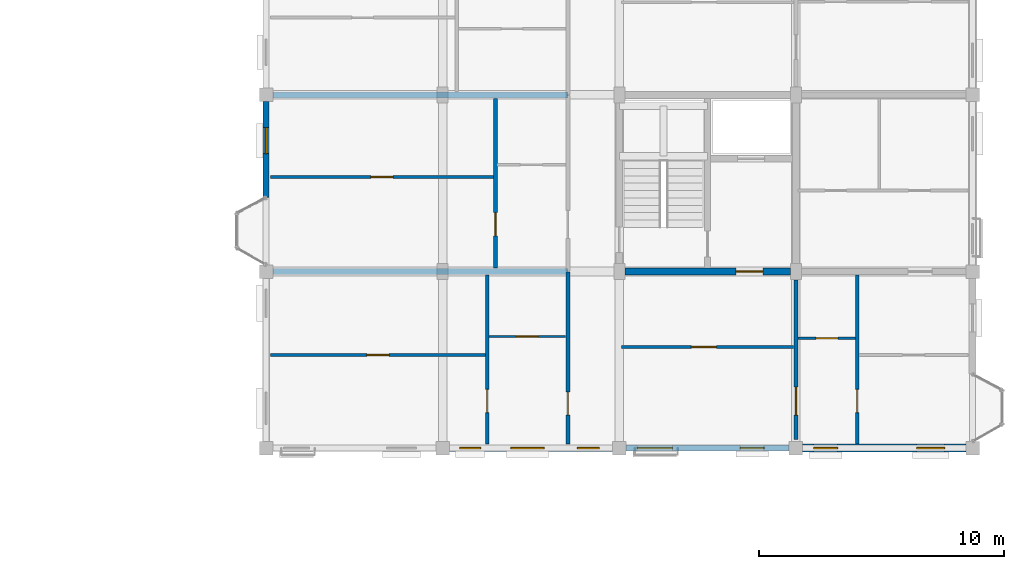
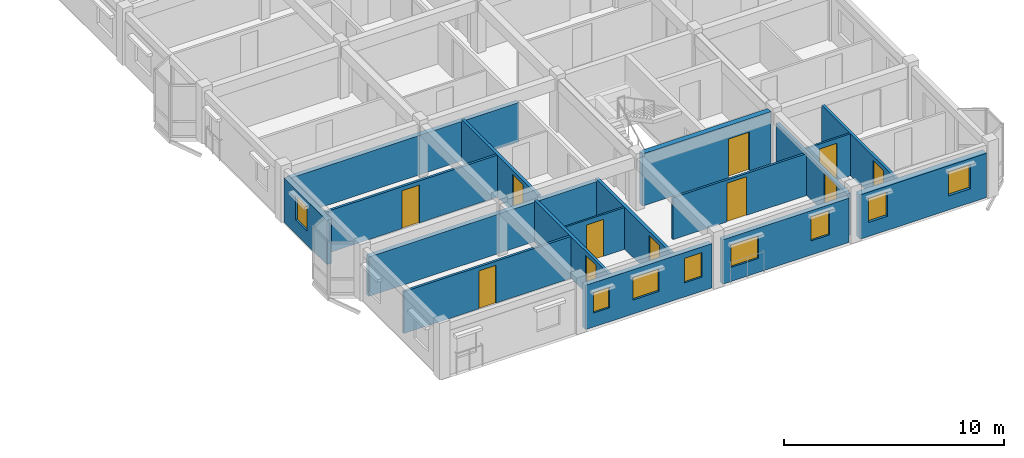
# One storey, part 60 of 79: 17 walls, 11 doors, 8 windows, 19 openings.
"""IFC4 building model written with IfcOpenShell, lengths in metres."""

from ifc_helpers import new_model, si_unit, direction, frame, frame_2d, origin, place, context, subcontext, project, spatial, rectangle, extrude, material, layer, layer_set, type_object, element, fill, save


model = new_model("IFC4")

# Units and contexts
model_context = context("Model", 3, precision=1e-05, world=origin(), true_north=direction((0.0, 1.0)))
body_context = subcontext(model_context, "Body", "Model", "MODEL_VIEW")
ifc_project = project(units=[si_unit("LENGTHUNIT", "METRE"), si_unit("AREAUNIT", "SQUARE_METRE"), si_unit("VOLUMEUNIT", "CUBIC_METRE"), si_unit("PLANEANGLEUNIT", "RADIAN"), si_unit("MASSUNIT", "GRAM", prefix="KILO"), si_unit("THERMODYNAMICTEMPERATUREUNIT", "KELVIN"), si_unit("POWERUNIT", "WATT")], contexts=[model_context])

# Site, building, storey
site_placement = place(None, origin())
site = spatial("IfcSite", under=ifc_project, at=site_placement, CompositionType="ELEMENT")
building_placement = place(site_placement, origin())
building = spatial("IfcBuilding", under=site, at=building_placement, Name="Tavuni Mirador Residences", CompositionType="ELEMENT")
storey_placement = place(building_placement, frame((0.0, 0.0, 13.949951171875)))
storey = spatial("IfcBuildingStorey", under=building, at=storey_placement, Name="L04", CompositionType="ELEMENT", Elevation=13.949951171875)

# Wall, opening, door
ifc_material_1 = material(Name="Precast concrete C40/50", Category="concrete")
ifc_layer_1 = layer(ifc_material_1, 0.280029296875, Name="Precast concrete C40/50", Category="concrete")
ifc_layer_set_1 = layer_set([ifc_layer_1], Name="Precast concrete C40/50")
wall_type_1 = type_object("IfcWallType", Name="WT-COR280", PredefinedType="SHEAR", material=ifc_layer_set_1)
wall_1_placement = place(storey_placement, frame((104.625, 93.60009765625, 0.0), z_axis=(0.0, 0.0, 1.0), x_axis=(1.0, 0.0, 0.0)))
wall_1 = element("IfcWall", 1, at=wall_1_placement, inside=storey, type_object=wall_type_1, Name="CWALL-C7-L04-SS", PredefinedType="SHEAR", context=body_context, shape_type="SweptSolid", body=[
    extrude(rectangle(XDim=6.75, YDim=0.280029296875, at=frame_2d((3.375, 0.0))), origin(), (0.0, 0.0, 1.0), 2.89013671875),
])
opening_1_placement = place(wall_1_placement, frame((4.52490234375, 0.0, 0.0)))
opening_1 = element("IfcOpeningElement", 2, at=opening_1_placement, cuts=wall_1, Name="Opening D-02", PredefinedType="OPENING", context=body_context, shape_type="SweptSolid", body=[
    extrude(rectangle(XDim=1.10009765625, YDim=2.14990234375, at=frame_2d((0.550048828125, 1.074951171875))), frame((0.0, 0.14990234375, 0.0), z_axis=(0.0, -1.0, 0.0), x_axis=(1.0, 0.0, 0.0)), (0.0, 0.0, 1.0), 0.300048828125),
])
ifc_material_2 = material(Name="Solid core iroko timber", Category="wood")
door_type_1 = type_object("IfcDoorType", Name="DT-LOB1100", OperationType="NOTDEFINED", PredefinedType="DOOR", material=ifc_material_2)
door_1_placement = place(opening_1_placement, frame((1.10009765625, 0.0, 0.0), z_axis=(0.0, 0.0, 1.0), x_axis=(-1.0, 0.0, 0.0)))
door_1 = element("IfcDoor", 3, at=door_1_placement, inside=storey, type_object=door_type_1, Name="DR-2282", OperationType="SINGLE_SWING_RIGHT", OverallHeight=2.14990234375, OverallWidth=1.10009765625, PredefinedType="DOOR", context=body_context, shape_type="SweptSolid", body=[
    extrude(rectangle(XDim=1.10009765625, YDim=2.14990234375, at=frame_2d((0.550048828125, 1.074951171875))), frame((0.0, 0.02490234375, 0.0), z_axis=(0.0, -1.0, 0.0), x_axis=(1.0, 0.0, 0.0)), (0.0, 0.0, 1.0), 0.050048828125),
])
fill(opening_1, door_1)

ifc_layer_2 = layer(ifc_material_1, 0.1650390625, Name="Precast concrete C40/50", Category="concrete")
ifc_layer_set_2 = layer_set([ifc_layer_2], Name="Precast concrete C40/50")
wall_type_2 = type_object("IfcWallType", Name="WT-CORR165", PredefinedType="PARTITIONING", material=ifc_layer_set_2)
wall_2_placement = place(storey_placement, frame((102.300048828125, 86.574951171875, 0.0), z_axis=(0.0, 0.0, 1.0), x_axis=(0.0, 1.0, 0.0)))
wall_2 = element("IfcWall", 4, at=wall_2_placement, inside=storey, type_object=wall_type_2, Name="CORW-BLK-D-L04-0-00", PredefinedType="PARTITIONING", context=body_context, shape_type="SweptSolid", body=[
    extrude(rectangle(XDim=7.005126953125, YDim=0.1650390625, at=frame_2d((3.50244140625, 0.0))), origin(), (0.0, 0.0, 1.0), 2.324951171875),
])
opening_2_placement = place(wall_2_placement, frame((1.175048828125, 0.0, 0.0)))
opening_2 = element("IfcOpeningElement", 5, at=opening_2_placement, cuts=wall_2, Name="Opening D-19", PredefinedType="OPENING", context=body_context, shape_type="SweptSolid", body=[
    extrude(rectangle(XDim=0.93994140625, YDim=2.1201171875, at=frame_2d((0.469970703125, 1.06005859375))), frame((0.0, 0.092529296875, 0.0), z_axis=(0.0, -1.0, 0.0), x_axis=(1.0, 0.0, 0.0)), (0.0, 0.0, 1.0), 0.18505859375),
])
door_type_2 = type_object("IfcDoorType", Name="DT-FD60-940", OperationType="NOTDEFINED", PredefinedType="DOOR", material=ifc_material_2)
door_2_placement = place(opening_2_placement, origin())
door_2 = element("IfcDoor", 6, at=door_2_placement, inside=storey, type_object=door_type_2, Name="DR-2857", OperationType="SINGLE_SWING_RIGHT", OverallHeight=2.1201171875, OverallWidth=0.93994140625, PredefinedType="DOOR", context=body_context, shape_type="SweptSolid", body=[
    extrude(rectangle(XDim=0.93994140625, YDim=2.1201171875, at=frame_2d((0.469970703125, 1.06005859375))), frame((0.0, 0.02490234375, 0.0), z_axis=(0.0, -1.0, 0.0), x_axis=(1.0, 0.0, 0.0)), (0.0, 0.0, 1.0), 0.050048828125),
])
fill(opening_2, door_2)

wall_3_placement = place(storey_placement, frame((111.60009765625, 86.75, 0.0), z_axis=(0.0, 0.0, 1.0), x_axis=(0.0, 1.0, 0.0)))
wall_3 = element("IfcWall", 7, at=wall_3_placement, inside=storey, type_object=wall_type_2, Name="CORW-BLK-D-L04-1-00", PredefinedType="PARTITIONING", context=body_context, shape_type="SweptSolid", body=[
    extrude(rectangle(XDim=6.5, YDim=0.1650390625, at=frame_2d((3.25, 0.0))), origin(), (0.0, 0.0, 1.0), 2.324951171875),
])
opening_3_placement = place(wall_3_placement, frame((1.0, 0.0, 0.0)))
opening_3 = element("IfcOpeningElement", 8, at=opening_3_placement, cuts=wall_3, Name="Opening D-20", PredefinedType="OPENING", context=body_context, shape_type="SweptSolid", body=[
    extrude(rectangle(XDim=1.139892578125, YDim=2.179931640625, at=frame_2d((0.56982421875, 1.08984375))), frame((0.0, 0.092529296875, 0.0), z_axis=(0.0, -1.0, 0.0), x_axis=(1.0, 0.0, 0.0)), (0.0, 0.0, 1.0), 0.18505859375),
])
door_type_3 = type_object("IfcDoorType", Name="DT-FD60-1140", OperationType="NOTDEFINED", PredefinedType="DOOR", material=ifc_material_2)
door_3_placement = place(opening_3_placement, origin())
door_3 = element("IfcDoor", 9, at=door_3_placement, inside=storey, type_object=door_type_3, Name="DR-2864", OperationType="SINGLE_SWING_LEFT", OverallHeight=2.179931640625, OverallWidth=1.139892578125, PredefinedType="DOOR", context=body_context, shape_type="SweptSolid", body=[
    extrude(rectangle(XDim=1.139892578125, YDim=2.179931640625, at=frame_2d((0.56982421875, 1.08984375))), frame((0.0, 0.02490234375, 0.0), z_axis=(0.0, -1.0, 0.0), x_axis=(1.0, 0.0, 0.0)), (0.0, 0.0, 1.0), 0.050048828125),
])
fill(opening_3, door_3)

# Wall, openings, windows
ifc_layer_3 = layer(ifc_material_1, 0.330078125, Name="Precast concrete C40/50", Category="concrete")
ifc_layer_set_3 = layer_set([ifc_layer_3], Name="Precast concrete C40/50")
wall_type_3 = type_object("IfcWallType", Name="WT-EXT-COR330", PredefinedType="SOLIDWALL", material=ifc_layer_set_3)
wall_4_placement = place(storey_placement, frame((111.875, 86.39990234375, 0.0), z_axis=(0.0, 0.0, 1.0), x_axis=(1.0, 0.0, 0.0)))
wall_4 = element("IfcWall", 10, at=wall_4_placement, inside=storey, type_object=wall_type_3, Name="EW-BLK-D-L04-S03", PredefinedType="SOLIDWALL", context=body_context, shape_type="SweptSolid", body=[
    extrude(rectangle(XDim=6.64990234375, YDim=0.330078125, at=frame_2d((3.324951171875, 0.0))), origin(), (0.0, 0.0, 1.0), 2.4599609375),
])
opening_4_placement = place(wall_4_placement, frame((0.449951171875, 0.0, 0.780029296875)))
opening_4 = element("IfcOpeningElement", 11, at=opening_4_placement, cuts=wall_4, Name="Opening WN-18", PredefinedType="OPENING", context=body_context, shape_type="SweptSolid", body=[
    extrude(rectangle(XDim=0.97998046875, YDim=1.360107421875, at=frame_2d((0.489990234375, 0.68017578125))), frame((0.0, 0.175048828125, 0.0), z_axis=(0.0, -1.0, 0.0), x_axis=(1.0, 0.0, 0.0)), (0.0, 0.0, 1.0), 0.35009765625),
])
opening_5_placement = place(wall_4_placement, frame((4.64990234375, 0.0, 0.780029296875)))
opening_5 = element("IfcOpeningElement", 12, at=opening_5_placement, cuts=wall_4, Name="Opening WN-20", PredefinedType="OPENING", context=body_context, shape_type="SweptSolid", body=[
    extrude(rectangle(XDim=1.139892578125, YDim=1.360107421875, at=frame_2d((0.56982421875, 0.68017578125))), frame((0.0, 0.175048828125, 0.0), z_axis=(0.0, -1.0, 0.0), x_axis=(1.0, 0.0, 0.0)), (0.0, 0.0, 1.0), 0.35009765625),
])
ifc_material_3 = material(Name="Laminated solar-control glass", Category="glass")
window_type_1 = type_object("IfcWindowType", Name="WNT-18", PartitioningType="SINGLE_PANEL", PredefinedType="WINDOW", material=ifc_material_3)
window_1_placement = place(opening_4_placement, origin())
window_1 = element("IfcWindow", 13, at=window_1_placement, inside=storey, type_object=window_type_1, Name="WIN-1573", OverallHeight=1.360107421875, OverallWidth=0.97998046875, PartitioningType="SINGLE_PANEL", PredefinedType="WINDOW", context=body_context, shape_type="SweptSolid", body=[
    extrude(rectangle(XDim=0.97998046875, YDim=1.360107421875, at=frame_2d((0.489990234375, 0.68017578125))), frame((0.0, 0.030029296875, 0.0), z_axis=(0.0, -1.0, 0.0), x_axis=(1.0, 0.0, 0.0)), (0.0, 0.0, 1.0), 0.06005859375),
])
fill(opening_4, window_1)
window_type_2 = type_object("IfcWindowType", Name="WNT-20", PartitioningType="SINGLE_PANEL", PredefinedType="WINDOW", material=ifc_material_3)
window_2_placement = place(opening_5_placement, origin())
window_2 = element("IfcWindow", 14, at=window_2_placement, inside=storey, type_object=window_type_2, Name="WIN-1574", OverallHeight=1.360107421875, OverallWidth=1.139892578125, PartitioningType="SINGLE_PANEL", PredefinedType="WINDOW", context=body_context, shape_type="SweptSolid", body=[
    extrude(rectangle(XDim=1.139892578125, YDim=1.360107421875, at=frame_2d((0.56982421875, 0.68017578125))), frame((0.0, 0.030029296875, 0.0), z_axis=(0.0, -1.0, 0.0), x_axis=(1.0, 0.0, 0.0)), (0.0, 0.0, 1.0), 0.06005859375),
])
fill(opening_5, window_2)

ifc_material_4 = material(Name="Sgraffito lime-rendered precast concrete C40/50", Category="concrete")
ifc_layer_4 = layer(ifc_material_4, 0.2451171875, Name="Sgraffito lime-rendered precast concrete C40/50", Category="concrete")
ifc_layer_set_4 = layer_set([ifc_layer_4], Name="Sgraffito lime-rendered precast concrete C40/50")
wall_type_4 = type_object("IfcWallType", Name="WT-EXT-PC245", PredefinedType="SOLIDWALL", material=ifc_layer_set_4)
wall_5_placement = place(storey_placement, frame((104.675048828125, 86.39990234375, 0.0), z_axis=(0.0, 0.0, 1.0), x_axis=(1.0, 0.0, 0.0)))
wall_5 = element("IfcWall", 15, at=wall_5_placement, inside=storey, type_object=wall_type_4, Name="EW-BLK-D-L04-S02", PredefinedType="SOLIDWALL", context=body_context, shape_type="SweptSolid", body=[
    extrude(rectangle(XDim=6.64990234375, YDim=0.2451171875, at=frame_2d((3.324951171875, 0.0))), origin(), (0.0, 0.0, 1.0), 2.4599609375),
])
opening_6_placement = place(wall_5_placement, frame((0.449951171875, 0.0, 0.780029296875)))
opening_6 = element("IfcOpeningElement", 16, at=opening_6_placement, cuts=wall_5, Name="Opening WN-16", PredefinedType="OPENING", context=body_context, shape_type="SweptSolid", body=[
    extrude(rectangle(XDim=1.43994140625, YDim=1.260009765625, at=frame_2d((0.719970703125, 0.6298828125))), frame((0.0, 0.132568359375, 0.0), z_axis=(0.0, -1.0, 0.0), x_axis=(1.0, 0.0, 0.0)), (0.0, 0.0, 1.0), 0.26513671875),
])
opening_7_placement = place(wall_5_placement, frame((4.64990234375, 0.0, 0.780029296875)))
opening_7 = element("IfcOpeningElement", 17, at=opening_7_placement, cuts=wall_5, Name="Opening WN-18", PredefinedType="OPENING", context=body_context, shape_type="SweptSolid", body=[
    extrude(rectangle(XDim=0.97998046875, YDim=1.360107421875, at=frame_2d((0.489990234375, 0.68017578125))), frame((0.0, 0.132568359375, 0.0), z_axis=(0.0, -1.0, 0.0), x_axis=(1.0, 0.0, 0.0)), (0.0, 0.0, 1.0), 0.26513671875),
])
window_type_3 = type_object("IfcWindowType", Name="WNT-16", PartitioningType="SINGLE_PANEL", PredefinedType="WINDOW", material=ifc_material_3)
window_3_placement = place(opening_6_placement, origin())
window_3 = element("IfcWindow", 18, at=window_3_placement, inside=storey, type_object=window_type_3, Name="WIN-1571", OverallHeight=1.260009765625, OverallWidth=1.43994140625, PartitioningType="SINGLE_PANEL", PredefinedType="WINDOW", context=body_context, shape_type="SweptSolid", body=[
    extrude(rectangle(XDim=1.43994140625, YDim=1.260009765625, at=frame_2d((0.719970703125, 0.6298828125))), frame((0.0, 0.030029296875, 0.0), z_axis=(0.0, -1.0, 0.0), x_axis=(1.0, 0.0, 0.0)), (0.0, 0.0, 1.0), 0.06005859375),
])
fill(opening_6, window_3)
window_4_placement = place(opening_7_placement, origin())
window_4 = element("IfcWindow", 19, at=window_4_placement, inside=storey, type_object=window_type_1, Name="WIN-1572", OverallHeight=1.360107421875, OverallWidth=0.97998046875, PartitioningType="SINGLE_PANEL", PredefinedType="WINDOW", context=body_context, shape_type="SweptSolid", body=[
    extrude(rectangle(XDim=0.97998046875, YDim=1.360107421875, at=frame_2d((0.489990234375, 0.68017578125))), frame((0.0, 0.030029296875, 0.0), z_axis=(0.0, -1.0, 0.0), x_axis=(1.0, 0.0, 0.0)), (0.0, 0.0, 1.0), 0.06005859375),
])
fill(opening_7, window_4)

ifc_layer_5 = layer(ifc_material_4, 0.2548828125, Name="Sgraffito lime-rendered precast concrete C40/50", Category="concrete")
ifc_layer_set_5 = layer_set([ifc_layer_5], Name="Sgraffito lime-rendered precast concrete C40/50")
wall_type_5 = type_object("IfcWallType", Name="WT-EXT-PC255", PredefinedType="SOLIDWALL", material=ifc_layer_set_5)
wall_6_placement = place(storey_placement, frame((97.47509765625, 86.39990234375, 0.0), z_axis=(0.0, 0.0, 1.0), x_axis=(1.0, 0.0, 0.0)))
wall_6 = element("IfcWall", 20, at=wall_6_placement, inside=storey, type_object=wall_type_5, Name="EW-BLK-D-L04-S01", PredefinedType="SOLIDWALL", context=body_context, shape_type="SweptSolid", body=[
    extrude(rectangle(XDim=6.64990234375, YDim=0.2548828125, at=frame_2d((3.324951171875, 0.0))), origin(), (0.0, 0.0, 1.0), 2.4599609375),
])
opening_8_placement = place(wall_6_placement, frame((0.41748046875, 0.0, 0.780029296875)))
opening_8 = element("IfcOpeningElement", 21, at=opening_8_placement, cuts=wall_6, Name="Opening WN-01", PredefinedType="OPENING", context=body_context, shape_type="SweptSolid", body=[
    extrude(rectangle(XDim=0.85009765625, YDim=1.14990234375, at=frame_2d((0.425048828125, 0.574951171875))), frame((0.0, 0.137451171875, 0.0), z_axis=(0.0, -1.0, 0.0), x_axis=(1.0, 0.0, 0.0)), (0.0, 0.0, 1.0), 0.27490234375),
])
opening_9_placement = place(wall_6_placement, frame((2.5048828125, 0.0, 0.780029296875)))
opening_9 = element("IfcOpeningElement", 22, at=opening_9_placement, cuts=wall_6, Name="Opening WN-15", PredefinedType="OPENING", context=body_context, shape_type="SweptSolid", body=[
    extrude(rectangle(XDim=1.360107421875, YDim=1.260009765625, at=frame_2d((0.68017578125, 0.6298828125))), frame((0.0, 0.137451171875, 0.0), z_axis=(0.0, -1.0, 0.0), x_axis=(1.0, 0.0, 0.0)), (0.0, 0.0, 1.0), 0.27490234375),
])
opening_10_placement = place(wall_6_placement, frame((5.217529296875, 0.0, 0.780029296875)))
opening_10 = element("IfcOpeningElement", 23, at=opening_10_placement, cuts=wall_6, Name="Opening WN-17", PredefinedType="OPENING", context=body_context, shape_type="SweptSolid", body=[
    extrude(rectangle(XDim=0.89990234375, YDim=1.360107421875, at=frame_2d((0.449951171875, 0.68017578125))), frame((0.0, 0.137451171875, 0.0), z_axis=(0.0, -1.0, 0.0), x_axis=(1.0, 0.0, 0.0)), (0.0, 0.0, 1.0), 0.27490234375),
])
window_type_4 = type_object("IfcWindowType", Name="WNT-01", PartitioningType="SINGLE_PANEL", PredefinedType="WINDOW", material=ifc_material_3)
window_5_placement = place(opening_8_placement, origin())
window_5 = element("IfcWindow", 24, at=window_5_placement, inside=storey, type_object=window_type_4, Name="WIN-1568", OverallHeight=1.14990234375, OverallWidth=0.85009765625, PartitioningType="SINGLE_PANEL", PredefinedType="WINDOW", context=body_context, shape_type="SweptSolid", body=[
    extrude(rectangle(XDim=0.85009765625, YDim=1.14990234375, at=frame_2d((0.425048828125, 0.574951171875))), frame((0.0, 0.030029296875, 0.0), z_axis=(0.0, -1.0, 0.0), x_axis=(1.0, 0.0, 0.0)), (0.0, 0.0, 1.0), 0.06005859375),
])
fill(opening_8, window_5)
window_type_5 = type_object("IfcWindowType", Name="WNT-15", PartitioningType="SINGLE_PANEL", PredefinedType="WINDOW", material=ifc_material_3)
window_6_placement = place(opening_9_placement, origin())
window_6 = element("IfcWindow", 25, at=window_6_placement, inside=storey, type_object=window_type_5, Name="WIN-1569", OverallHeight=1.260009765625, OverallWidth=1.360107421875, PartitioningType="SINGLE_PANEL", PredefinedType="WINDOW", context=body_context, shape_type="SweptSolid", body=[
    extrude(rectangle(XDim=1.360107421875, YDim=1.260009765625, at=frame_2d((0.68017578125, 0.6298828125))), frame((0.0, 0.030029296875, 0.0), z_axis=(0.0, -1.0, 0.0), x_axis=(1.0, 0.0, 0.0)), (0.0, 0.0, 1.0), 0.06005859375),
])
fill(opening_9, window_6)
window_type_6 = type_object("IfcWindowType", Name="WNT-17", PartitioningType="SINGLE_PANEL", PredefinedType="WINDOW", material=ifc_material_3)
window_7_placement = place(opening_10_placement, origin())
window_7 = element("IfcWindow", 26, at=window_7_placement, inside=storey, type_object=window_type_6, Name="WIN-1570", OverallHeight=1.360107421875, OverallWidth=0.89990234375, PartitioningType="SINGLE_PANEL", PredefinedType="WINDOW", context=body_context, shape_type="SweptSolid", body=[
    extrude(rectangle(XDim=0.89990234375, YDim=1.360107421875, at=frame_2d((0.449951171875, 0.68017578125))), frame((0.0, 0.030029296875, 0.0), z_axis=(0.0, -1.0, 0.0), x_axis=(1.0, 0.0, 0.0)), (0.0, 0.0, 1.0), 0.06005859375),
])
fill(opening_10, window_7)

# Wall, opening, window
wall_7_placement = place(storey_placement, frame((90.0, 100.52490234375, 0.0), z_axis=(0.0, 0.0, 1.0), x_axis=(0.0, -1.0, 0.0)))
wall_7 = element("IfcWall", 27, at=wall_7_placement, inside=storey, type_object=wall_type_5, Name="EW-BLK-D-L04-W01", PredefinedType="SOLIDWALL", context=body_context, shape_type="SweptSolid", body=[
    extrude(rectangle(XDim=3.90478515625, YDim=0.2548828125, at=frame_2d((1.952392578125, 0.0))), origin(), (0.0, 0.0, 1.0), 2.4599609375),
])
opening_11_placement = place(wall_7_placement, frame((1.0625, 0.0, 0.780029296875)))
opening_11 = element("IfcOpeningElement", 28, at=opening_11_placement, cuts=wall_7, Name="Opening WN-19", PredefinedType="OPENING", context=body_context, shape_type="SweptSolid", body=[
    extrude(rectangle(XDim=1.06005859375, YDim=1.360107421875, at=frame_2d((0.530029296875, 0.68017578125))), frame((0.0, 0.137451171875, 0.0), z_axis=(0.0, -1.0, 0.0), x_axis=(1.0, 0.0, 0.0)), (0.0, 0.0, 1.0), 0.27490234375),
])
window_type_7 = type_object("IfcWindowType", Name="WNT-19", PartitioningType="SINGLE_PANEL", PredefinedType="WINDOW", material=ifc_material_3)
window_8_placement = place(opening_11_placement, origin())
window_8 = element("IfcWindow", 29, at=window_8_placement, inside=storey, type_object=window_type_7, Name="WIN-1604", OverallHeight=1.360107421875, OverallWidth=1.06005859375, PartitioningType="SINGLE_PANEL", PredefinedType="WINDOW", context=body_context, shape_type="SweptSolid", body=[
    extrude(rectangle(XDim=1.06005859375, YDim=1.360107421875, at=frame_2d((0.530029296875, 0.68017578125))), frame((0.0, 0.030029296875, 0.0), z_axis=(0.0, -1.0, 0.0), x_axis=(1.0, 0.0, 0.0)), (0.0, 0.0, 1.0), 0.06005859375),
])
fill(opening_11, window_8)

# Wall, opening, door
ifc_material_5 = material(Name="Acoustic gypsum and concrete block partition", Category="concrete")
ifc_layer_6 = layer(ifc_material_5, 0.094970703125, Name="Acoustic gypsum and concrete block partition", Category="concrete")
ifc_layer_set_6 = layer_set([ifc_layer_6], Name="Acoustic gypsum and concrete block partition")
wall_type_6 = type_object("IfcWallType", Name="WT-PART095", PredefinedType="PARTITIONING", material=ifc_layer_set_6)
wall_8_placement = place(storey_placement, frame((99.090087890625, 90.949951171875, 0.0), z_axis=(0.0, 0.0, 1.0), x_axis=(1.0, 0.0, 0.0)))
wall_8 = element("IfcWall", 30, at=wall_8_placement, inside=storey, type_object=wall_type_6, Name="PW-BLK-D-L04-W00-IN1", PredefinedType="PARTITIONING", context=body_context, shape_type="SweptSolid", body=[
    extrude(rectangle(XDim=3.119873046875, YDim=0.094970703125, at=frame_2d((1.56005859375, 0.0))), origin(), (0.0, 0.0, 1.0), 2.324951171875),
])
opening_12_placement = place(wall_8_placement, frame((1.110107421875, 0.0, 0.0)))
opening_12 = element("IfcOpeningElement", 31, at=opening_12_placement, cuts=wall_8, Name="Opening D-09", PredefinedType="OPENING", context=body_context, shape_type="SweptSolid", body=[
    extrude(rectangle(XDim=0.89990234375, YDim=2.050048828125, at=frame_2d((0.449951171875, 1.02490234375))), frame((0.0, 0.0576171875, 0.0), z_axis=(0.0, -1.0, 0.0), x_axis=(1.0, 0.0, 0.0)), (0.0, 0.0, 1.0), 0.114990234375),
])
door_type_4 = type_object("IfcDoorType", Name="DT-WC900", OperationType="NOTDEFINED", PredefinedType="DOOR", material=ifc_material_2)
door_4_placement = place(opening_12_placement, origin())
door_4 = element("IfcDoor", 32, at=door_4_placement, inside=storey, type_object=door_type_4, Name="DR-4432", OperationType="SINGLE_SWING_RIGHT", OverallHeight=2.050048828125, OverallWidth=0.89990234375, PredefinedType="DOOR", context=body_context, shape_type="SweptSolid", body=[
    extrude(rectangle(XDim=0.89990234375, YDim=2.050048828125, at=frame_2d((0.449951171875, 1.02490234375))), frame((0.0, 0.02490234375, 0.0), z_axis=(0.0, -1.0, 0.0), x_axis=(1.0, 0.0, 0.0)), (0.0, 0.0, 1.0), 0.050048828125),
])
fill(opening_12, door_4)

ifc_layer_7 = layer(ifc_material_5, 0.10498046875, Name="Acoustic gypsum and concrete block partition", Category="concrete")
ifc_layer_set_7 = layer_set([ifc_layer_7], Name="Acoustic gypsum and concrete block partition")
wall_type_7 = type_object("IfcWallType", Name="WT-PART105", PredefinedType="PARTITIONING", material=ifc_layer_set_7)
wall_9_placement = place(storey_placement, frame((111.68994140625, 90.8798828125, 0.0), z_axis=(0.0, 0.0, 1.0), x_axis=(1.0, 0.0, 0.0)))
wall_9 = element("IfcWall", 33, at=wall_9_placement, inside=storey, type_object=wall_type_7, Name="PW-BLK-D-L04-E00-IN1", PredefinedType="PARTITIONING", context=body_context, shape_type="SweptSolid", body=[
    extrude(rectangle(XDim=2.340087890625, YDim=0.10498046875, at=frame_2d((1.169921875, 0.0))), origin(), (0.0, 0.0, 1.0), 2.324951171875),
])
opening_13_placement = place(wall_9_placement, frame((0.719970703125, 0.0, 0.0)))
opening_13 = element("IfcOpeningElement", 34, at=opening_13_placement, cuts=wall_9, Name="Opening D-09", PredefinedType="OPENING", context=body_context, shape_type="SweptSolid", body=[
    extrude(rectangle(XDim=0.89990234375, YDim=2.050048828125, at=frame_2d((0.449951171875, 1.02490234375))), frame((0.0, 0.0625, 0.0), z_axis=(0.0, -1.0, 0.0), x_axis=(1.0, 0.0, 0.0)), (0.0, 0.0, 1.0), 0.125),
])
door_5_placement = place(opening_13_placement, origin())
door_5 = element("IfcDoor", 35, at=door_5_placement, inside=storey, type_object=door_type_4, Name="DR-4435", OperationType="SINGLE_SWING_RIGHT", OverallHeight=2.050048828125, OverallWidth=0.89990234375, PredefinedType="DOOR", context=body_context, shape_type="SweptSolid", body=[
    extrude(rectangle(XDim=0.89990234375, YDim=2.050048828125, at=frame_2d((0.449951171875, 1.02490234375))), frame((0.0, 0.02490234375, 0.0), z_axis=(0.0, -1.0, 0.0), x_axis=(1.0, 0.0, 0.0)), (0.0, 0.0, 1.0), 0.050048828125),
])
fill(opening_13, door_5)

ifc_layer_8 = layer(ifc_material_5, 0.114990234375, Name="Acoustic gypsum and concrete block partition", Category="concrete")
ifc_layer_set_8 = layer_set([ifc_layer_8], Name="Acoustic gypsum and concrete block partition")
wall_type_8 = type_object("IfcWallType", Name="WT-PART115", PredefinedType="PARTITIONING", material=ifc_layer_set_8)
wall_10_placement = place(storey_placement, frame((104.489990234375, 90.52001953125, 0.0), z_axis=(0.0, 0.0, 1.0), x_axis=(1.0, 0.0, 0.0)))
wall_10 = element("IfcWall", 36, at=wall_10_placement, inside=storey, type_object=wall_type_8, Name="PW-SPN-BLK-D-L04-00", PredefinedType="PARTITIONING", context=body_context, shape_type="SweptSolid", body=[
    extrude(rectangle(XDim=7.02001953125, YDim=0.114990234375, at=frame_2d((3.510009765625, 0.0))), origin(), (0.0, 0.0, 1.0), 2.324951171875),
])
opening_14_placement = place(wall_10_placement, frame((2.85009765625, 0.0, 0.0)))
opening_14 = element("IfcOpeningElement", 37, at=opening_14_placement, cuts=wall_10, Name="Opening D-13", PredefinedType="OPENING", context=body_context, shape_type="SweptSolid", body=[
    extrude(rectangle(XDim=1.02001953125, YDim=2.14990234375, at=frame_2d((0.510009765625, 1.074951171875))), frame((0.0, 0.0673828125, 0.0), z_axis=(0.0, -1.0, 0.0), x_axis=(1.0, 0.0, 0.0)), (0.0, 0.0, 1.0), 0.135009765625),
])
door_type_5 = type_object("IfcDoorType", Name="DT-MTG1020", OperationType="NOTDEFINED", PredefinedType="DOOR", material=ifc_material_2)
door_6_placement = place(opening_14_placement, origin())
door_6 = element("IfcDoor", 38, at=door_6_placement, inside=storey, type_object=door_type_5, Name="DR-4430", OperationType="SINGLE_SWING_LEFT", OverallHeight=2.14990234375, OverallWidth=1.02001953125, PredefinedType="DOOR", context=body_context, shape_type="SweptSolid", body=[
    extrude(rectangle(XDim=1.02001953125, YDim=2.14990234375, at=frame_2d((0.510009765625, 1.074951171875))), frame((0.0, 0.02490234375, 0.0), z_axis=(0.0, -1.0, 0.0), x_axis=(1.0, 0.0, 0.0)), (0.0, 0.0, 1.0), 0.050048828125),
])
fill(opening_14, door_6)

ifc_layer_9 = layer(ifc_material_5, 0.125, Name="Acoustic gypsum and concrete block partition", Category="concrete")
ifc_layer_set_9 = layer_set([ifc_layer_9], Name="Acoustic gypsum and concrete block partition")
wall_type_9 = type_object("IfcWallType", Name="WT-PART125", PredefinedType="PARTITIONING", material=ifc_layer_set_9)
wall_11_placement = place(storey_placement, frame((90.175048828125, 90.199951171875, 0.0), z_axis=(0.0, 0.0, 1.0), x_axis=(1.0, 0.0, 0.0)))
wall_11 = element("IfcWall", 39, at=wall_11_placement, inside=storey, type_object=wall_type_9, Name="PW-BLK-D-L04-W00-OUT", PredefinedType="PARTITIONING", context=body_context, shape_type="SweptSolid", body=[
    extrude(rectangle(XDim=8.77490234375, YDim=0.125, at=frame_2d((4.387451171875, 0.0))), origin(), (0.0, 0.0, 1.0), 2.324951171875),
])
opening_15_placement = place(wall_11_placement, frame((3.9375, 0.0, 0.0)))
opening_15 = element("IfcOpeningElement", 40, at=opening_15_placement, cuts=wall_11, Name="Opening D-07", PredefinedType="OPENING", context=body_context, shape_type="SweptSolid", body=[
    extrude(rectangle(XDim=0.89990234375, YDim=2.10009765625, at=frame_2d((0.449951171875, 1.050048828125))), frame((0.0, 0.072509765625, 0.0), z_axis=(0.0, -1.0, 0.0), x_axis=(1.0, 0.0, 0.0)), (0.0, 0.0, 1.0), 0.14501953125),
])
door_type_6 = type_object("IfcDoorType", Name="DT-BED900", OperationType="NOTDEFINED", PredefinedType="DOOR", material=ifc_material_2)
door_7_placement = place(opening_15_placement, origin())
door_7 = element("IfcDoor", 41, at=door_7_placement, inside=storey, type_object=door_type_6, Name="DR-4431", OperationType="SINGLE_SWING_LEFT", OverallHeight=2.10009765625, OverallWidth=0.89990234375, PredefinedType="DOOR", context=body_context, shape_type="SweptSolid", body=[
    extrude(rectangle(XDim=0.89990234375, YDim=2.10009765625, at=frame_2d((0.449951171875, 1.050048828125))), frame((0.0, 0.02490234375, 0.0), z_axis=(0.0, -1.0, 0.0), x_axis=(1.0, 0.0, 0.0)), (0.0, 0.0, 1.0), 0.050048828125),
])
fill(opening_15, door_7)

wall_12_placement = place(storey_placement, frame((90.175048828125, 97.449951171875, 0.0), z_axis=(0.0, 0.0, 1.0), x_axis=(1.0, 0.0, 0.0)))
wall_12 = element("IfcWall", 42, at=wall_12_placement, inside=storey, type_object=wall_type_9, Name="PW-BLK-D-L04-W01-OUT", PredefinedType="PARTITIONING", context=body_context, shape_type="SweptSolid", body=[
    extrude(rectangle(XDim=9.10498046875, YDim=0.125, at=frame_2d((4.552490234375, 0.0))), origin(), (0.0, 0.0, 1.0), 2.324951171875),
])
opening_16_placement = place(wall_12_placement, frame((4.1025390625, 0.0, 0.0)))
opening_16 = element("IfcOpeningElement", 43, at=opening_16_placement, cuts=wall_12, Name="Opening D-07", PredefinedType="OPENING", context=body_context, shape_type="SweptSolid", body=[
    extrude(rectangle(XDim=0.89990234375, YDim=2.10009765625, at=frame_2d((0.449951171875, 1.050048828125))), frame((0.0, 0.072509765625, 0.0), z_axis=(0.0, -1.0, 0.0), x_axis=(1.0, 0.0, 0.0)), (0.0, 0.0, 1.0), 0.14501953125),
])
door_8_placement = place(opening_16_placement, origin())
door_8 = element("IfcDoor", 44, at=door_8_placement, inside=storey, type_object=door_type_6, Name="DR-4437", OperationType="SINGLE_SWING_LEFT", OverallHeight=2.10009765625, OverallWidth=0.89990234375, PredefinedType="DOOR", context=body_context, shape_type="SweptSolid", body=[
    extrude(rectangle(XDim=0.89990234375, YDim=2.10009765625, at=frame_2d((0.449951171875, 1.050048828125))), frame((0.0, 0.02490234375, 0.0), z_axis=(0.0, -1.0, 0.0), x_axis=(1.0, 0.0, 0.0)), (0.0, 0.0, 1.0), 0.050048828125),
])
fill(opening_16, door_8)

ifc_layer_10 = layer(ifc_material_5, 0.139892578125, Name="Acoustic gypsum and concrete block partition", Category="concrete")
ifc_layer_set_10 = layer_set([ifc_layer_10], Name="Acoustic gypsum and concrete block partition")
wall_type_10 = type_object("IfcWallType", Name="WT-PART140", PredefinedType="PARTITIONING", material=ifc_layer_set_10)
wall_13_placement = place(storey_placement, frame((114.10009765625, 86.574951171875, 0.0), z_axis=(0.0, 0.0, 1.0), x_axis=(0.0, 1.0, 0.0)))
wall_13 = element("IfcWall", 45, at=wall_13_placement, inside=storey, type_object=wall_type_10, Name="PW-BLK-D-L04-E00-MID", PredefinedType="PARTITIONING", context=body_context, shape_type="SweptSolid", body=[
    extrude(rectangle(XDim=6.885009765625, YDim=0.139892578125, at=frame_2d((3.4423828125, 0.0))), origin(), (0.0, 0.0, 1.0), 2.324951171875),
])
opening_17_placement = place(wall_13_placement, frame((1.27490234375, 0.0, 0.0)))
opening_17 = element("IfcOpeningElement", 46, at=opening_17_placement, cuts=wall_13, Name="Opening D-05", PredefinedType="OPENING", context=body_context, shape_type="SweptSolid", body=[
    extrude(rectangle(XDim=0.949951171875, YDim=2.10009765625, at=frame_2d((0.47509765625, 1.050048828125))), frame((0.0, 0.080078125, 0.0), z_axis=(0.0, -1.0, 0.0), x_axis=(1.0, 0.0, 0.0)), (0.0, 0.0, 1.0), 0.159912109375),
])
door_type_7 = type_object("IfcDoorType", Name="DT-INT950", OperationType="NOTDEFINED", PredefinedType="DOOR", material=ifc_material_2)
door_9_placement = place(opening_17_placement, origin())
door_9 = element("IfcDoor", 47, at=door_9_placement, inside=storey, type_object=door_type_7, Name="DR-4436", OperationType="SINGLE_SWING_LEFT", OverallHeight=2.10009765625, OverallWidth=0.949951171875, PredefinedType="DOOR", context=body_context, shape_type="SweptSolid", body=[
    extrude(rectangle(XDim=0.949951171875, YDim=2.10009765625, at=frame_2d((0.47509765625, 1.050048828125))), frame((0.0, 0.02490234375, 0.0), z_axis=(0.0, -1.0, 0.0), x_axis=(1.0, 0.0, 0.0)), (0.0, 0.0, 1.0), 0.050048828125),
])
fill(opening_17, door_9)

ifc_layer_11 = layer(ifc_material_5, 0.14990234375, Name="Acoustic gypsum and concrete block partition", Category="concrete")
ifc_layer_set_11 = layer_set([ifc_layer_11], Name="Acoustic gypsum and concrete block partition")
wall_type_11 = type_object("IfcWallType", Name="WT-PART150", PredefinedType="PARTITIONING", material=ifc_layer_set_11)
wall_14_placement = place(storey_placement, frame((99.02001953125, 86.574951171875, 0.0), z_axis=(0.0, 0.0, 1.0), x_axis=(0.0, 1.0, 0.0)))
wall_14 = element("IfcWall", 48, at=wall_14_placement, inside=storey, type_object=wall_type_11, Name="PW-BLK-D-L04-W00-MID", PredefinedType="PARTITIONING", context=body_context, shape_type="SweptSolid", body=[
    extrude(rectangle(XDim=6.885009765625, YDim=0.14990234375, at=frame_2d((3.4423828125, 0.0))), origin(), (0.0, 0.0, 1.0), 2.324951171875),
])
opening_18_placement = place(wall_14_placement, frame((1.27490234375, 0.0, 0.0)))
opening_18 = element("IfcOpeningElement", 49, at=opening_18_placement, cuts=wall_14, Name="Opening D-05", PredefinedType="OPENING", context=body_context, shape_type="SweptSolid", body=[
    extrude(rectangle(XDim=0.949951171875, YDim=2.10009765625, at=frame_2d((0.47509765625, 1.050048828125))), frame((0.0, 0.0849609375, 0.0), z_axis=(0.0, -1.0, 0.0), x_axis=(1.0, 0.0, 0.0)), (0.0, 0.0, 1.0), 0.169921875),
])
door_10_placement = place(opening_18_placement, origin())
door_10 = element("IfcDoor", 50, at=door_10_placement, inside=storey, type_object=door_type_7, Name="DR-4433", OperationType="SINGLE_SWING_LEFT", OverallHeight=2.10009765625, OverallWidth=0.949951171875, PredefinedType="DOOR", context=body_context, shape_type="SweptSolid", body=[
    extrude(rectangle(XDim=0.949951171875, YDim=2.10009765625, at=frame_2d((0.47509765625, 1.050048828125))), frame((0.0, 0.02490234375, 0.0), z_axis=(0.0, -1.0, 0.0), x_axis=(1.0, 0.0, 0.0)), (0.0, 0.0, 1.0), 0.050048828125),
])
fill(opening_18, door_10)

wall_15_placement = place(storey_placement, frame((99.35009765625, 93.739990234375, 0.0), z_axis=(0.0, 0.0, 1.0), x_axis=(0.0, 1.0, 0.0)))
wall_15 = element("IfcWall", 51, at=wall_15_placement, inside=storey, type_object=wall_type_11, Name="PW-BLK-D-L04-W01-MID", PredefinedType="PARTITIONING", context=body_context, shape_type="SweptSolid", body=[
    extrude(rectangle(XDim=6.919921875, YDim=0.14990234375, at=frame_2d((3.4599609375, 0.0))), origin(), (0.0, 0.0, 1.0), 2.324951171875),
])
opening_19_placement = place(wall_15_placement, frame((1.31005859375, 0.0, 0.0)))
opening_19 = element("IfcOpeningElement", 52, at=opening_19_placement, cuts=wall_15, Name="Opening D-05", PredefinedType="OPENING", context=body_context, shape_type="SweptSolid", body=[
    extrude(rectangle(XDim=0.949951171875, YDim=2.10009765625, at=frame_2d((0.47509765625, 1.050048828125))), frame((0.0, 0.0849609375, 0.0), z_axis=(0.0, -1.0, 0.0), x_axis=(1.0, 0.0, 0.0)), (0.0, 0.0, 1.0), 0.169921875),
])
door_11_placement = place(opening_19_placement, origin())
door_11 = element("IfcDoor", 53, at=door_11_placement, inside=storey, type_object=door_type_7, Name="DR-4439", OperationType="SINGLE_SWING_LEFT", OverallHeight=2.10009765625, OverallWidth=0.949951171875, PredefinedType="DOOR", context=body_context, shape_type="SweptSolid", body=[
    extrude(rectangle(XDim=0.949951171875, YDim=2.10009765625, at=frame_2d((0.47509765625, 1.050048828125))), frame((0.0, 0.02490234375, 0.0), z_axis=(0.0, -1.0, 0.0), x_axis=(1.0, 0.0, 0.0)), (0.0, 0.0, 1.0), 0.050048828125),
])
fill(opening_19, door_11)

# Walls
ifc_layer_12 = layer(ifc_material_1, 0.235107421875, Name="Precast concrete C40/50", Category="concrete")
ifc_layer_set_12 = layer_set([ifc_layer_12], Name="Precast concrete C40/50")
wall_type_12 = type_object("IfcWallType", Name="WT-XW235", PredefinedType="SOLIDWALL", material=ifc_layer_set_12)
for number, where, z_axis, x_axis, name in (
    (54, (90.27490234375, 93.60009765625, 0.0), (0.0, 0.0, 1.0), (1.0, 0.0, 0.0), "XW-BLK-D-L04-W-01"),
    (55, (90.27490234375, 100.800048828125, 0.0), (0.0, 0.0, 1.0), (1.0, 0.0, 0.0), "XW-BLK-D-L04-W-02"),
):
    element("IfcWall", number, at=place(storey_placement, frame(where, z_axis=z_axis, x_axis=x_axis)), inside=storey, type_object=wall_type_12, Name=name, PredefinedType="SOLIDWALL", context=body_context, shape_type="SweptSolid", body=[
        extrude(rectangle(XDim=12.025146484375, YDim=0.235107421875, at=frame_2d((6.0126953125, 0.0))), origin(), (0.0, 0.0, 1.0), 2.18994140625),
    ])

save(model, "model.ifc")
